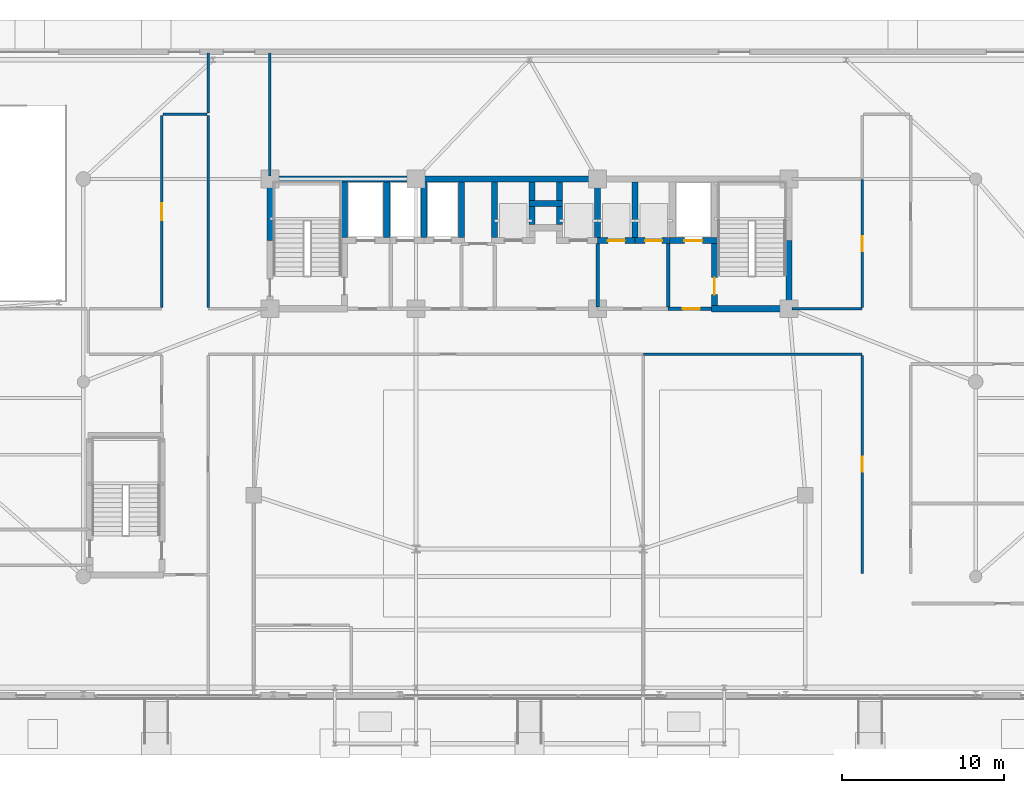
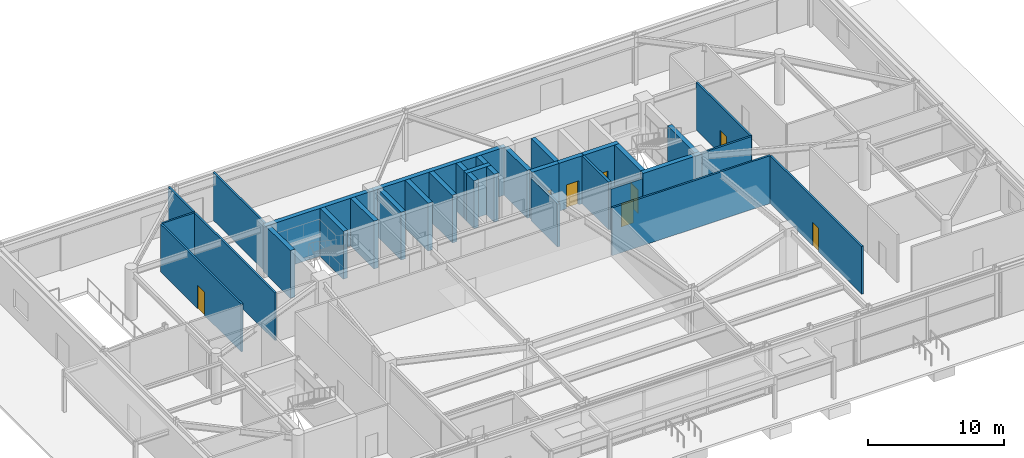
# One storey, part 21 of 29: 33 walls, 8 doors, 8 openings.
"""IFC4 building model written with IfcOpenShell, lengths in metres."""

from ifc_helpers import new_model, si_unit, direction, frame, frame_2d, origin, place, context, subcontext, project, spatial, rectangle, extrude, source, transform, mapped, material, layer, layer_set, type_object, element, fill, save


model = new_model("IFC4")

# Units and contexts
model_context = context("Model", 3, precision=1e-05, world=origin(), true_north=direction((0.0, 1.0)))
body_context = subcontext(model_context, "Body", "Model", "MODEL_VIEW")
ifc_project = project(units=[si_unit("LENGTHUNIT", "METRE"), si_unit("AREAUNIT", "SQUARE_METRE"), si_unit("VOLUMEUNIT", "CUBIC_METRE"), si_unit("PLANEANGLEUNIT", "RADIAN"), si_unit("MASSUNIT", "GRAM", prefix="KILO")], contexts=[model_context])

# Site, building, storey
site_placement = place(None, origin())
site = spatial("IfcSite", under=ifc_project, at=site_placement, CompositionType="ELEMENT")
building_placement = place(site_placement, origin())
building = spatial("IfcBuilding", under=site, at=building_placement, Name="Taldren Reach Tower", CompositionType="ELEMENT")
storey_placement = place(building_placement, origin())
storey = spatial("IfcBuildingStorey", under=building, at=storey_placement, Name="L00", CompositionType="ELEMENT", Elevation=0.0)

# Walls
ifc_material_1 = material(Name="Concrete S80 (80 MPa)", Category="concrete")
ifc_layer_1 = layer(ifc_material_1, 0.3798828125)
ifc_layer_set_1 = layer_set([ifc_layer_1], Name="Concrete S80 (80 MPa)")
wall_type_1 = type_object("IfcWallType", Name="IW-CORE-380", PredefinedType="SHEAR", material=ifc_layer_set_1)
shared_shape_1 = source(origin(), body_context, "Body", "SweptSolid", [
    extrude(rectangle(XDim=9.18994140625, YDim=0.3798828125, at=frame_2d((4.594970703125, 0.0))), origin(), (0.0, 0.0, 1.0), 4.2900390625),
])
wall_1_placement = place(storey_placement, frame((18.81005859375, 32.0, 0.0), z_axis=(0.0, 0.0, 1.0), x_axis=(1.0, 0.0, 0.0)))
element("IfcWall", 1, at=wall_1_placement, inside=storey, type_object=wall_type_1, Name="Rear Core Shear Wall W-CORE-L00-NORTH1", PredefinedType="SHEAR", context=body_context, shape_type="MappedRepresentation", body=[
    mapped(shared_shape_1, transform((0.0, 0.0, 0.0), scale=1.0)),
])
shared_shape_2 = source(origin(), body_context, "Body", "SweptSolid", [
    extrude(rectangle(XDim=11.199951171875, YDim=0.3798828125, at=frame_2d((5.60009765625, 0.0))), origin(), (0.0, 0.0, 1.0), 4.2900390625),
])
wall_2_placement = place(storey_placement, frame((28.0, 32.0, 0.0), z_axis=(0.0, 0.0, 1.0), x_axis=(1.0, 0.0, 0.0)))
element("IfcWall", 2, at=wall_2_placement, inside=storey, type_object=wall_type_1, Name="Rear Core Shear Wall W-CORE-L00-NORTH2", PredefinedType="SHEAR", context=body_context, shape_type="MappedRepresentation", body=[
    mapped(shared_shape_2, transform((0.0, 0.0, 0.0), scale=1.0)),
])
shared_shape_3 = source(origin(), body_context, "Body", "SweptSolid", [
    extrude(rectangle(XDim=4.010009765625, YDim=0.3798828125, at=frame_2d((2.0048828125, 0.0))), origin(), (0.0, 0.0, 1.0), 4.2900390625),
])
wall_3_placement = place(storey_placement, frame((51.0, 24.18994140625, 0.0), z_axis=(0.0, 0.0, 1.0), x_axis=(0.0, 1.0, 0.0)))
element("IfcWall", 3, at=wall_3_placement, inside=storey, type_object=wall_type_1, Name="Rear Core Shear Wall W-CORE-L00-EAST1", PredefinedType="SHEAR", context=body_context, shape_type="MappedRepresentation", body=[
    mapped(shared_shape_3, transform((0.0, 0.0, 0.0), scale=1.0)),
])
shared_shape_4 = source(origin(), body_context, "Body", "SweptSolid", [
    extrude(rectangle(XDim=3.610107421875, YDim=0.3798828125, at=frame_2d((1.80517578125, 0.0))), origin(), (0.0, 0.0, 1.0), 4.2900390625),
])
wall_4_placement = place(storey_placement, frame((19.0, 28.199951171875, 0.0), z_axis=(0.0, 0.0, 1.0), x_axis=(0.0, 1.0, 0.0)))
element("IfcWall", 4, at=wall_4_placement, inside=storey, type_object=wall_type_1, Name="Rear Core Shear Wall W-CORE-L00-WEST2", PredefinedType="SHEAR", context=body_context, shape_type="MappedRepresentation", body=[
    mapped(shared_shape_4, transform((0.0, 0.0, 0.0), scale=1.0)),
])
shared_shape_5 = source(origin(), body_context, "Body", "SweptSolid", [
    extrude(rectangle(XDim=3.420166015625, YDim=0.3798828125, at=frame_2d((1.7099609375, 0.0))), origin(), (0.0, 0.0, 1.0), 4.2900390625),
])
for number, where, z_axis, x_axis, name in (
    (5, (23.60009765625, 28.389892578125, 0.0), (0.0, 0.0, 1.0), (0.0, 1.0, 0.0), "Rear Core Shear Wall W-INT-L00-001"),
    (6, (26.199951171875, 28.389892578125, 0.0), (0.0, 0.0, 1.0), (0.0, 1.0, 0.0), "Rear Core Shear Wall W-INT-L00-005"),
    (7, (28.5, 28.389892578125, 0.0), (0.0, 0.0, 1.0), (0.0, 1.0, 0.0), "Rear Core Shear Wall W-INT-L00-021"),
    (8, (30.800048828125, 28.389892578125, 0.0), (0.0, 0.0, 1.0), (0.0, 1.0, 0.0), "Rear Core Shear Wall W-INT-L00-024"),
    (9, (32.85009765625, 31.81005859375, 0.0), (0.0, 0.0, 1.0), (0.0, -1.0, 0.0), "Rear Core Shear Wall W-INT-L00-030"),
    (10, (39.199951171875, 28.389892578125, 0.0), (0.0, 0.0, 1.0), (0.0, 1.0, 0.0), "Rear Core Shear Wall W-INT-L00-035"),
    (11, (41.5, 28.389892578125, 0.0), (0.0, 0.0, 1.0), (0.0, 1.0, 0.0), "Rear Core Shear Wall W-INT-L00-038"),
):
    element("IfcWall", number, at=place(storey_placement, frame(where, z_axis=z_axis, x_axis=x_axis)), inside=storey, type_object=wall_type_1, Name=name, PredefinedType="SHEAR", context=body_context, shape_type="MappedRepresentation", body=[
        mapped(shared_shape_5, transform((0.0, 0.0, 0.0), scale=1.0)),
    ])

# Wall, opening, door
shared_shape_6 = source(origin(), body_context, "Body", "SweptSolid", [
    extrude(rectangle(XDim=3.820068359375, YDim=0.3798828125, at=frame_2d((1.91015625, 0.0))), origin(), (0.0, 0.0, 1.0), 4.2900390625),
])
wall_5_placement = place(storey_placement, frame((46.39990234375, 28.010009765625, 0.0), z_axis=(0.0, 0.0, 1.0), x_axis=(0.0, -1.0, 0.0)))
wall_5 = element("IfcWall", 12, at=wall_5_placement, inside=storey, type_object=wall_type_1, Name="Rear Core Shear Wall W-INT-L00-009", PredefinedType="SHEAR", context=body_context, shape_type="MappedRepresentation", body=[
    mapped(shared_shape_6, transform((0.0, 0.0, 0.0), scale=1.0)),
])
shared_shape_7 = source(origin(), body_context, "Body", "SweptSolid", [
    extrude(rectangle(XDim=1.050048828125, YDim=2.10009765625, at=frame_2d((0.52490234375, 1.050048828125))), frame((0.0, 0.199951171875, 0.0), z_axis=(0.0, -1.0, 0.0), x_axis=(1.0, 0.0, 0.0)), (0.0, 0.0, 1.0), 0.39990234375),
])
opening_1_placement = place(wall_5_placement, frame((2.0849609375, 0.0, 0.0)))
opening_1 = element("IfcOpeningElement", 13, at=opening_1_placement, cuts=wall_5, Name="Opening DF-105", PredefinedType="OPENING", context=body_context, shape_type="MappedRepresentation", body=[
    mapped(shared_shape_7, transform((0.0, 0.0, 0.0), scale=1.0)),
])
ifc_material_2 = material(Name="Fire-Rated Care and Stair Exit Door")
door_type_1 = type_object("IfcDoorType", Name="ID-FIRE-105", OperationType="NOTDEFINED", PredefinedType="DOOR", material=ifc_material_2)
shared_shape_8 = source(origin(), body_context, "Body", "SweptSolid", [
    extrude(rectangle(XDim=1.050048828125, YDim=2.10009765625, at=frame_2d((0.52490234375, 1.050048828125))), frame((0.0, 0.02490234375, 0.0), z_axis=(0.0, -1.0, 0.0), x_axis=(1.0, 0.0, 0.0)), (0.0, 0.0, 1.0), 0.050048828125),
])
door_1_placement = place(opening_1_placement, frame((1.050048828125, 0.0, 0.0), z_axis=(0.0, 0.0, 1.0), x_axis=(-1.0, 0.0, 0.0)))
door_1 = element("IfcDoor", 14, at=door_1_placement, inside=storey, type_object=door_type_1, Name="Fire Exit Stair Door DR-L00-003", OperationType="SINGLE_SWING_LEFT", OverallHeight=2.10009765625, OverallWidth=1.050048828125, PredefinedType="DOOR", context=body_context, shape_type="MappedRepresentation", body=[
    mapped(shared_shape_8, transform((0.0, 0.0, 0.0), scale=1.0)),
])
fill(opening_1, door_1)

# Wall
shared_shape_9 = source(origin(), body_context, "Body", "SweptSolid", [
    extrude(rectangle(XDim=4.97998046875, YDim=0.3798828125, at=frame_2d((2.489990234375, 0.0))), origin(), (0.0, 0.0, 1.0), 4.2900390625),
])
wall_6_placement = place(storey_placement, frame((46.2099609375, 24.0, 0.0), z_axis=(0.0, 0.0, 1.0), x_axis=(1.0, 0.0, 0.0)))
element("IfcWall", 15, at=wall_6_placement, inside=storey, type_object=wall_type_1, Name="Rear Core Shear Wall W-INT-L00-010", PredefinedType="SHEAR", context=body_context, shape_type="MappedRepresentation", body=[
    mapped(shared_shape_9, transform((0.0, 0.0, 0.0), scale=1.0)),
])

# Wall, opening, door
shared_shape_10 = source(origin(), body_context, "Body", "SweptSolid", [
    extrude(rectangle(XDim=2.97998046875, YDim=0.3798828125, at=frame_2d((1.489990234375, 0.0))), origin(), (0.0, 0.0, 1.0), 4.2900390625),
])
wall_7_placement = place(storey_placement, frame((43.610107421875, 28.199951171875, 0.0), z_axis=(0.0, 0.0, 1.0), x_axis=(1.0, 0.0, 0.0)))
wall_7 = element("IfcWall", 16, at=wall_7_placement, inside=storey, type_object=wall_type_1, Name="Rear Core Shear Wall W-INT-L00-011", PredefinedType="SHEAR", context=body_context, shape_type="MappedRepresentation", body=[
    mapped(shared_shape_10, transform((0.0, 0.0, 0.0), scale=1.0)),
])
shared_shape_11 = source(origin(), body_context, "Body", "SweptSolid", [
    extrude(rectangle(XDim=1.10009765625, YDim=2.14990234375, at=frame_2d((0.550048828125, 1.074951171875))), frame((0.0, 0.199951171875, 0.0), z_axis=(0.0, -1.0, 0.0), x_axis=(1.0, 0.0, 0.0)), (0.0, 0.0, 1.0), 0.39990234375),
])
opening_2_placement = place(wall_7_placement, frame((0.93994140625, 0.0, 0.0)))
opening_2 = element("IfcOpeningElement", 17, at=opening_2_placement, cuts=wall_7, Name="Opening LD-FL2", PredefinedType="OPENING", context=body_context, shape_type="MappedRepresentation", body=[
    mapped(shared_shape_11, transform((0.0, 0.0, 0.0), scale=1.0)),
])
ifc_material_3 = material(Name="Stainless Steel Gr 316 Emergency Lift Landing Door", Category="steel")
door_type_2 = type_object("IfcDoorType", Name="LD-EMG-110", OperationType="SLIDING_TO_LEFT", PredefinedType="DOOR", material=ifc_material_3)
shared_shape_12 = source(origin(), body_context, "Body", "SweptSolid", [
    extrude(rectangle(XDim=1.10009765625, YDim=2.14990234375, at=frame_2d((0.550048828125, 1.074951171875))), frame((0.0, 0.02490234375, 0.0), z_axis=(0.0, -1.0, 0.0), x_axis=(1.0, 0.0, 0.0)), (0.0, 0.0, 1.0), 0.050048828125),
])
door_2_placement = place(opening_2_placement, origin())
door_2 = element("IfcDoor", 18, at=door_2_placement, inside=storey, type_object=door_type_2, Name="Lift Landing Door LD-FL2-L00", OperationType="SLIDING_TO_LEFT", OverallHeight=2.14990234375, OverallWidth=1.10009765625, PredefinedType="DOOR", context=body_context, shape_type="MappedRepresentation", body=[
    mapped(shared_shape_12, transform((0.0, 0.0, 0.0), scale=1.0)),
])
fill(opening_2, door_2)

# Wall
ifc_material_4 = material(Name="Concrete S50 (50 MPa)", Category="concrete")
ifc_layer_2 = layer(ifc_material_4, 0.199951171875)
ifc_layer_set_2 = layer_set([ifc_layer_2], Name="Concrete S50 (50 MPa)")
wall_type_2 = type_object("IfcWallType", Name="IW-CORE-200", PredefinedType="SOLIDWALL", material=ifc_layer_set_2)
shared_shape_13 = source(origin(), body_context, "Body", "SweptSolid", [
    extrude(rectangle(XDim=3.909912109375, YDim=0.199951171875, at=frame_2d((1.955078125, 0.0))), origin(), (0.0, 0.0, 1.0), 4.2900390625),
])
wall_8_placement = place(storey_placement, frame((43.550048828125, 28.010009765625, 0.0), z_axis=(0.0, 0.0, 1.0), x_axis=(0.0, -1.0, 0.0)))
element("IfcWall", 19, at=wall_8_placement, inside=storey, type_object=wall_type_2, Name="Rear Core Shear Wall W-INT-L00-013", PredefinedType="SOLIDWALL", context=body_context, shape_type="MappedRepresentation", body=[
    mapped(shared_shape_13, transform((0.0, 0.0, 0.0), scale=1.0)),
])

# Wall, opening, door
shared_shape_14 = source(origin(), body_context, "Body", "SweptSolid", [
    extrude(rectangle(XDim=2.659912109375, YDim=0.199951171875, at=frame_2d((1.330078125, 0.0))), origin(), (0.0, 0.0, 1.0), 3.757080078125),
])
wall_9_placement = place(storey_placement, frame((43.550048828125, 24.0, 0.0), z_axis=(0.0, 0.0, 1.0), x_axis=(1.0, 0.0, 0.0)))
wall_9 = element("IfcWall", 20, at=wall_9_placement, inside=storey, type_object=wall_type_2, Name="Rear Core Shear Wall W-INT-L00-014", PredefinedType="SOLIDWALL", context=body_context, shape_type="MappedRepresentation", body=[
    mapped(shared_shape_14, transform((0.0, 0.0, 0.0), scale=1.0)),
])
shared_shape_15 = source(origin(), body_context, "Body", "SweptSolid", [
    extrude(rectangle(XDim=1.050048828125, YDim=2.10009765625, at=frame_2d((0.52490234375, 1.050048828125))), frame((0.0, 0.10986328125, 0.0), z_axis=(0.0, -1.0, 0.0), x_axis=(1.0, 0.0, 0.0)), (0.0, 0.0, 1.0), 0.219970703125),
])
opening_3_placement = place(wall_9_placement, frame((0.89990234375, 0.0, 0.0)))
opening_3 = element("IfcOpeningElement", 21, at=opening_3_placement, cuts=wall_9, Name="Opening DF-105", PredefinedType="OPENING", context=body_context, shape_type="MappedRepresentation", body=[
    mapped(shared_shape_15, transform((0.0, 0.0, 0.0), scale=1.0)),
])
door_3_placement = place(opening_3_placement, frame((1.050048828125, 0.0, 0.0), z_axis=(0.0, 0.0, 1.0), x_axis=(-1.0, 0.0, 0.0)))
door_3 = element("IfcDoor", 22, at=door_3_placement, inside=storey, type_object=door_type_1, Name="Interior Door DR-L00-004", OperationType="SINGLE_SWING_RIGHT", OverallHeight=2.10009765625, OverallWidth=1.050048828125, PredefinedType="DOOR", context=body_context, shape_type="MappedRepresentation", body=[
    mapped(shared_shape_8, transform((0.0, 0.0, 0.0), scale=1.0)),
])
fill(opening_3, door_3)

# Walls
shared_shape_16 = source(origin(), body_context, "Body", "SweptSolid", [
    extrude(rectangle(XDim=2.080078125, YDim=0.3798828125, at=frame_2d((1.0400390625, 0.0))), origin(), (0.0, 0.0, 1.0), 4.2900390625),
])
wall_10_placement = place(storey_placement, frame((34.9599609375, 30.5, 0.0), z_axis=(0.0, 0.0, 1.0), x_axis=(1.0, 0.0, 0.0)))
element("IfcWall", 23, at=wall_10_placement, inside=storey, type_object=wall_type_1, Name="Rear Core Shear Wall W-INT-L00-015", PredefinedType="SHEAR", context=body_context, shape_type="MappedRepresentation", body=[
    mapped(shared_shape_16, transform((0.0, 0.0, 0.0), scale=1.0)),
])
shared_shape_17 = source(origin(), body_context, "Body", "SweptSolid", [
    extrude(rectangle(XDim=1.1201171875, YDim=0.3798828125, at=frame_2d((0.56005859375, 0.0))), origin(), (0.0, 0.0, 1.0), 4.2900390625),
])
for number, where, z_axis, x_axis, name in (
    (24, (35.14990234375, 31.81005859375, 0.0), (0.0, 0.0, 1.0), (0.0, -1.0, 0.0), "Rear Core Shear Wall W-INT-L00-016"),
    (25, (36.85009765625, 30.68994140625, 0.0), (0.0, 0.0, 1.0), (0.0, 1.0, 0.0), "Rear Core Shear Wall W-INT-L00-017"),
    (26, (35.14990234375, 30.31005859375, 0.0), (0.0, 0.0, 1.0), (0.0, -1.0, 0.0), "Rear Core Shear Wall W-INT-L00-018"),
    (27, (36.85009765625, 29.18994140625, 0.0), (0.0, 0.0, 1.0), (0.0, 1.0, 0.0), "Rear Core Shear Wall W-INT-L00-019"),
):
    element("IfcWall", number, at=place(storey_placement, frame(where, z_axis=z_axis, x_axis=x_axis)), inside=storey, type_object=wall_type_1, Name=name, PredefinedType="SHEAR", context=body_context, shape_type="MappedRepresentation", body=[
        mapped(shared_shape_17, transform((0.0, 0.0, 0.0), scale=1.0)),
    ])

# Wall, opening, door
shared_shape_18 = source(origin(), body_context, "Body", "SweptSolid", [
    extrude(rectangle(XDim=2.070068359375, YDim=0.3798828125, at=frame_2d((1.03515625, 0.0))), origin(), (0.0, 0.0, 1.0), 4.2900390625),
])
wall_11_placement = place(storey_placement, frame((41.5, 28.199951171875, 0.0), z_axis=(0.0, 0.0, 1.0), x_axis=(1.0, 0.0, 0.0)))
wall_11 = element("IfcWall", 28, at=wall_11_placement, inside=storey, type_object=wall_type_1, Name="Rear Core Shear Wall W-INT-L00-040", PredefinedType="SHEAR", context=body_context, shape_type="MappedRepresentation", body=[
    mapped(shared_shape_18, transform((0.0, 0.0, 0.0), scale=1.0)),
])
shared_shape_19 = source(origin(), body_context, "Body", "SweptSolid", [
    extrude(rectangle(XDim=1.050048828125, YDim=2.14990234375, at=frame_2d((0.52490234375, 1.074951171875))), frame((0.0, 0.199951171875, 0.0), z_axis=(0.0, -1.0, 0.0), x_axis=(1.0, 0.0, 0.0)), (0.0, 0.0, 1.0), 0.39990234375),
])
opening_4_placement = place(wall_11_placement, frame((0.625, 0.0, 0.0)))
opening_4 = element("IfcOpeningElement", 29, at=opening_4_placement, cuts=wall_11, Name="Opening LD-PH2", PredefinedType="OPENING", context=body_context, shape_type="MappedRepresentation", body=[
    mapped(shared_shape_19, transform((0.0, 0.0, 0.0), scale=1.0)),
])
ifc_material_5 = material(Name="Stainless Steel Gr 316 Passenger Lift Landing Door", Category="steel")
door_type_3 = type_object("IfcDoorType", Name="LD-PAS-105", OperationType="SLIDING_TO_LEFT", PredefinedType="DOOR", material=ifc_material_5)
shared_shape_20 = source(origin(), body_context, "Body", "SweptSolid", [
    extrude(rectangle(XDim=1.050048828125, YDim=2.14990234375, at=frame_2d((0.52490234375, 1.074951171875))), frame((0.0, 0.02490234375, 0.0), z_axis=(0.0, -1.0, 0.0), x_axis=(1.0, 0.0, 0.0)), (0.0, 0.0, 1.0), 0.050048828125),
])
door_4_placement = place(opening_4_placement, origin())
door_4 = element("IfcDoor", 30, at=door_4_placement, inside=storey, type_object=door_type_3, Name="Lift Landing Door LD-PH2-L00", OperationType="SLIDING_TO_LEFT", OverallHeight=2.14990234375, OverallWidth=1.050048828125, PredefinedType="DOOR", context=body_context, shape_type="MappedRepresentation", body=[
    mapped(shared_shape_20, transform((0.0, 0.0, 0.0), scale=1.0)),
])
fill(opening_4, door_4)

# Wall
shared_shape_21 = source(origin(), body_context, "Body", "SweptSolid", [
    extrude(rectangle(XDim=3.909912109375, YDim=0.199951171875, at=frame_2d((1.955078125, 0.0))), origin(), (0.0, 0.0, 1.0), 3.830078125),
])
wall_12_placement = place(storey_placement, frame((39.199951171875, 28.010009765625, 0.0), z_axis=(0.0, 0.0, 1.0), x_axis=(0.0, -1.0, 0.0)))
element("IfcWall", 31, at=wall_12_placement, inside=storey, type_object=wall_type_2, Name="Rear Core Shear Wall W-INT-L00-036", PredefinedType="SOLIDWALL", context=body_context, shape_type="MappedRepresentation", body=[
    mapped(shared_shape_21, transform((0.0, 0.0, 0.0), scale=1.0)),
])

# Wall, opening, door
shared_shape_22 = source(origin(), body_context, "Body", "SweptSolid", [
    extrude(rectangle(XDim=2.300048828125, YDim=0.3798828125, at=frame_2d((1.14990234375, 0.0))), origin(), (0.0, 0.0, 1.0), 4.2900390625),
])
wall_13_placement = place(storey_placement, frame((39.199951171875, 28.199951171875, 0.0), z_axis=(0.0, 0.0, 1.0), x_axis=(1.0, 0.0, 0.0)))
wall_13 = element("IfcWall", 32, at=wall_13_placement, inside=storey, type_object=wall_type_1, Name="Rear Core Shear Wall W-INT-L00-039", PredefinedType="SHEAR", context=body_context, shape_type="MappedRepresentation", body=[
    mapped(shared_shape_22, transform((0.0, 0.0, 0.0), scale=1.0)),
])
opening_5_placement = place(wall_13_placement, frame((0.625, 0.0, 0.0)))
opening_5 = element("IfcOpeningElement", 33, at=opening_5_placement, cuts=wall_13, Name="Opening LD-PH1", PredefinedType="OPENING", context=body_context, shape_type="MappedRepresentation", body=[
    mapped(shared_shape_19, transform((0.0, 0.0, 0.0), scale=1.0)),
])
door_5_placement = place(opening_5_placement, origin())
door_5 = element("IfcDoor", 34, at=door_5_placement, inside=storey, type_object=door_type_3, Name="Lift Landing Door LD-PH1-L00", OperationType="SLIDING_TO_LEFT", OverallHeight=2.14990234375, OverallWidth=1.050048828125, PredefinedType="DOOR", context=body_context, shape_type="MappedRepresentation", body=[
    mapped(shared_shape_20, transform((0.0, 0.0, 0.0), scale=1.0)),
])
fill(opening_5, door_5)

ifc_material_6 = material(Name="Fire-Rated Acoustic Plasterboard Stud Wall", Category="gypsum")
ifc_layer_3 = layer(ifc_material_6, 0.159912109375)
ifc_layer_set_3 = layer_set([ifc_layer_3], Name="Fire-Rated Acoustic Plasterboard Stud Wall")
wall_type_3 = type_object("IfcWallType", Name="IW-FIRE-160", PredefinedType="PARTITIONING", material=ifc_layer_set_3)
shared_shape_23 = source(origin(), body_context, "Body", "SweptSolid", [
    extrude(rectangle(XDim=13.440185546875, YDim=0.159912109375, at=frame_2d((6.72021484375, 0.0))), origin(), (0.0, 0.0, 1.0), 4.2900390625),
])
wall_14_placement = place(storey_placement, frame((55.5, 7.679931640625, 0.0), z_axis=(0.0, 0.0, 1.0), x_axis=(0.0, 1.0, 0.0)))
wall_14 = element("IfcWall", 35, at=wall_14_placement, inside=storey, type_object=wall_type_3, Name="Interior Partition Wall W-INT-L00-049", PredefinedType="PARTITIONING", context=body_context, shape_type="MappedRepresentation", body=[
    mapped(shared_shape_23, transform((0.0, 0.0, 0.0), scale=1.0)),
])
shared_shape_24 = source(origin(), body_context, "Body", "SweptSolid", [
    extrude(rectangle(XDim=0.919921875, YDim=2.10009765625, at=frame_2d((0.4599609375, 1.050048828125))), frame((0.0, 0.08984375, 0.0), z_axis=(0.0, -1.0, 0.0), x_axis=(1.0, 0.0, 0.0)), (0.0, 0.0, 1.0), 0.179931640625),
])
opening_6_placement = place(wall_14_placement, frame((6.289794921875, 0.0, 0.0)))
opening_6 = element("IfcOpeningElement", 36, at=opening_6_placement, cuts=wall_14, Name="Opening DI-092", PredefinedType="OPENING", context=body_context, shape_type="MappedRepresentation", body=[
    mapped(shared_shape_24, transform((0.0, 0.0, 0.0), scale=1.0)),
])
ifc_material_7 = material(Name="Solid-Core Timber Suite Door", Category="wood")
door_type_4 = type_object("IfcDoorType", Name="ID-INT-092", OperationType="NOTDEFINED", PredefinedType="DOOR", material=ifc_material_7)
shared_shape_25 = source(origin(), body_context, "Body", "SweptSolid", [
    extrude(rectangle(XDim=0.919921875, YDim=2.10009765625, at=frame_2d((0.4599609375, 1.050048828125))), frame((0.0, 0.02490234375, 0.0), z_axis=(0.0, -1.0, 0.0), x_axis=(1.0, 0.0, 0.0)), (0.0, 0.0, 1.0), 0.050048828125),
])
door_6_placement = place(opening_6_placement, origin())
door_6 = element("IfcDoor", 37, at=door_6_placement, inside=storey, type_object=door_type_4, Name="Interior Door DR-L00-012", OperationType="SINGLE_SWING_LEFT", OverallHeight=2.10009765625, OverallWidth=0.919921875, PredefinedType="DOOR", context=body_context, shape_type="MappedRepresentation", body=[
    mapped(shared_shape_25, transform((0.0, 0.0, 0.0), scale=1.0)),
])
fill(opening_6, door_6)

# Wall
shared_shape_26 = source(origin(), body_context, "Body", "SweptSolid", [
    extrude(rectangle(XDim=13.45947265625, YDim=0.159912109375, at=frame_2d((6.729736328125, 0.0))), origin(), (0.0, 0.0, 1.0), 4.2900390625),
])
wall_15_placement = place(storey_placement, frame((55.479736328125, 21.199951171875, 0.0), z_axis=(0.0, 0.0, 1.0), x_axis=(-1.0, 0.0, 0.0)))
element("IfcWall", 38, at=wall_15_placement, inside=storey, type_object=wall_type_3, Name="Interior Partition Wall W-INT-L00-050", PredefinedType="PARTITIONING", context=body_context, shape_type="MappedRepresentation", body=[
    mapped(shared_shape_26, transform((0.0, 0.0, 0.0), scale=1.0)),
])

# Wall, opening, door
shared_shape_27 = source(origin(), body_context, "Body", "SweptSolid", [
    extrude(rectangle(XDim=11.83984375, YDim=0.159912109375, at=frame_2d((5.919921875, 0.0))), origin(), (0.0, 0.0, 1.0), 4.2900390625),
])
wall_16_placement = place(storey_placement, frame((12.340087890625, 24.080078125, 0.0), z_axis=(0.0, 0.0, 1.0), x_axis=(0.0, 1.0, 0.0)))
wall_16 = element("IfcWall", 39, at=wall_16_placement, inside=storey, type_object=wall_type_3, Name="Interior Partition Wall W-INT-L00-057", PredefinedType="PARTITIONING", context=body_context, shape_type="MappedRepresentation", body=[
    mapped(shared_shape_27, transform((0.0, 0.0, 0.0), scale=1.0)),
])
shared_shape_28 = source(origin(), body_context, "Body", "SweptSolid", [
    extrude(rectangle(XDim=1.050048828125, YDim=2.10009765625, at=frame_2d((0.52490234375, 1.050048828125))), frame((0.0, 0.08984375, 0.0), z_axis=(0.0, -1.0, 0.0), x_axis=(1.0, 0.0, 0.0)), (0.0, 0.0, 1.0), 0.179931640625),
])
opening_7_placement = place(wall_16_placement, frame((5.364990234375, 0.0, 0.0)))
opening_7 = element("IfcOpeningElement", 40, at=opening_7_placement, cuts=wall_16, Name="Opening DF-105", PredefinedType="OPENING", context=body_context, shape_type="MappedRepresentation", body=[
    mapped(shared_shape_28, transform((0.0, 0.0, 0.0), scale=1.0)),
])
door_7_placement = place(opening_7_placement, origin())
door_7 = element("IfcDoor", 41, at=door_7_placement, inside=storey, type_object=door_type_1, Name="Interior Door DR-L00-016", OperationType="SINGLE_SWING_LEFT", OverallHeight=2.10009765625, OverallWidth=1.050048828125, PredefinedType="DOOR", context=body_context, shape_type="MappedRepresentation", body=[
    mapped(shared_shape_8, transform((0.0, 0.0, 0.0), scale=1.0)),
])
fill(opening_7, door_7)

# Walls
wall_17_placement = place(storey_placement, frame((15.199951171875, 35.919921875, 0.0), z_axis=(0.0, 0.0, 1.0), x_axis=(0.0, -1.0, 0.0)))
element("IfcWall", 42, at=wall_17_placement, inside=storey, type_object=wall_type_3, Name="Interior Partition Wall W-INT-L00-060", PredefinedType="PARTITIONING", context=body_context, shape_type="MappedRepresentation", body=[
    mapped(shared_shape_27, transform((0.0, 0.0, 0.0), scale=1.0)),
])
shared_shape_29 = source(origin(), body_context, "Body", "SweptSolid", [
    extrude(rectangle(XDim=2.7001953125, YDim=0.159912109375, at=frame_2d((1.35009765625, 0.0))), origin(), (0.0, 0.0, 1.0), 4.2900390625),
])
wall_18_placement = place(storey_placement, frame((12.419921875, 36.0, 0.0), z_axis=(0.0, 0.0, 1.0), x_axis=(1.0, 0.0, 0.0)))
element("IfcWall", 43, at=wall_18_placement, inside=storey, type_object=wall_type_3, Name="Interior Partition Wall W-INT-L00-059", PredefinedType="PARTITIONING", context=body_context, shape_type="MappedRepresentation", body=[
    mapped(shared_shape_29, transform((0.0, 0.0, 0.0), scale=1.0)),
])

# Wall, opening, door
shared_shape_30 = source(origin(), body_context, "Body", "SweptSolid", [
    extrude(rectangle(XDim=7.899658203125, YDim=0.159912109375, at=frame_2d((3.94970703125, 0.0))), origin(), (0.0, 0.0, 1.0), 4.2900390625),
])
wall_19_placement = place(storey_placement, frame((55.5, 24.080078125, 0.0), z_axis=(0.0, 0.0, 1.0), x_axis=(0.0, 1.0, 0.0)))
wall_19 = element("IfcWall", 44, at=wall_19_placement, inside=storey, type_object=wall_type_3, Name="Interior Partition Wall W-INT-L00-065", PredefinedType="PARTITIONING", context=body_context, shape_type="MappedRepresentation", body=[
    mapped(shared_shape_30, transform((0.0, 0.0, 0.0), scale=1.0)),
])
opening_8_placement = place(wall_19_placement, frame((3.4599609375, 0.0, 0.0)))
opening_8 = element("IfcOpeningElement", 45, at=opening_8_placement, cuts=wall_19, Name="Opening DI-092", PredefinedType="OPENING", context=body_context, shape_type="MappedRepresentation", body=[
    mapped(shared_shape_24, transform((0.0, 0.0, 0.0), scale=1.0)),
])
door_8_placement = place(opening_8_placement, origin())
door_8 = element("IfcDoor", 46, at=door_8_placement, inside=storey, type_object=door_type_4, Name="Interior Door DR-L00-019", OperationType="SINGLE_SWING_RIGHT", OverallHeight=2.10009765625, OverallWidth=0.919921875, PredefinedType="DOOR", context=body_context, shape_type="MappedRepresentation", body=[
    mapped(shared_shape_25, transform((0.0, 0.0, 0.0), scale=1.0)),
])
fill(opening_8, door_8)

# Walls
shared_shape_31 = source(origin(), body_context, "Body", "SweptSolid", [
    extrude(rectangle(XDim=4.289794921875, YDim=0.159912109375, at=frame_2d((2.14501953125, 0.0))), origin(), (0.0, 0.0, 1.0), 4.2900390625),
])
wall_20_placement = place(storey_placement, frame((51.18994140625, 24.0, 0.0), z_axis=(0.0, 0.0, 1.0), x_axis=(1.0, 0.0, 0.0)))
element("IfcWall", 47, at=wall_20_placement, inside=storey, type_object=wall_type_3, Name="Interior Partition Wall W-INT-L00-066", PredefinedType="PARTITIONING", context=body_context, shape_type="MappedRepresentation", body=[
    mapped(shared_shape_31, transform((0.0, 0.0, 0.0), scale=1.0)),
])
shared_shape_32 = source(origin(), body_context, "Body", "SweptSolid", [
    extrude(rectangle(XDim=3.68994140625, YDim=0.159912109375, at=frame_2d((1.844970703125, 0.0))), origin(), (0.0, 0.0, 1.0), 4.2900390625),
])
wall_21_placement = place(storey_placement, frame((15.199951171875, 39.77001953125, 0.0), z_axis=(0.0, 0.0, 1.0), x_axis=(0.0, -1.0, 0.0)))
element("IfcWall", 48, at=wall_21_placement, inside=storey, type_object=wall_type_3, Name="Interior Partition Wall W-INT-L00-080", PredefinedType="PARTITIONING", context=body_context, shape_type="MappedRepresentation", body=[
    mapped(shared_shape_32, transform((0.0, 0.0, 0.0), scale=1.0)),
])
shared_shape_33 = source(origin(), body_context, "Body", "SweptSolid", [
    extrude(rectangle(XDim=7.580078125, YDim=0.159912109375, at=frame_2d((3.7900390625, 0.0))), origin(), (0.0, 0.0, 1.0), 4.2900390625),
])
wall_22_placement = place(storey_placement, frame((19.0, 39.77001953125, 0.0), z_axis=(0.0, 0.0, 1.0), x_axis=(0.0, -1.0, 0.0)))
element("IfcWall", 49, at=wall_22_placement, inside=storey, type_object=wall_type_3, Name="Interior Partition Wall W-INT-L00-081", PredefinedType="PARTITIONING", context=body_context, shape_type="MappedRepresentation", body=[
    mapped(shared_shape_33, transform((0.0, 0.0, 0.0), scale=1.0)),
])

save(model, "model.ifc")
